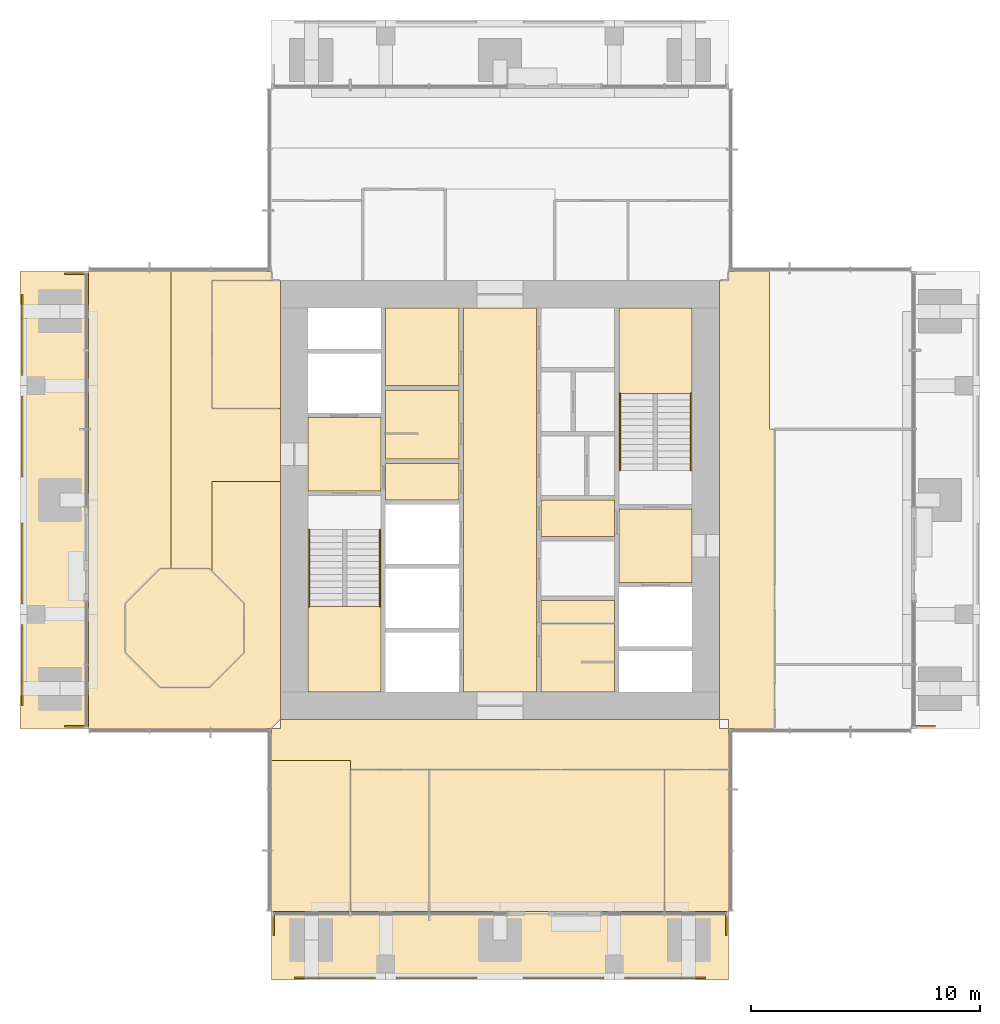
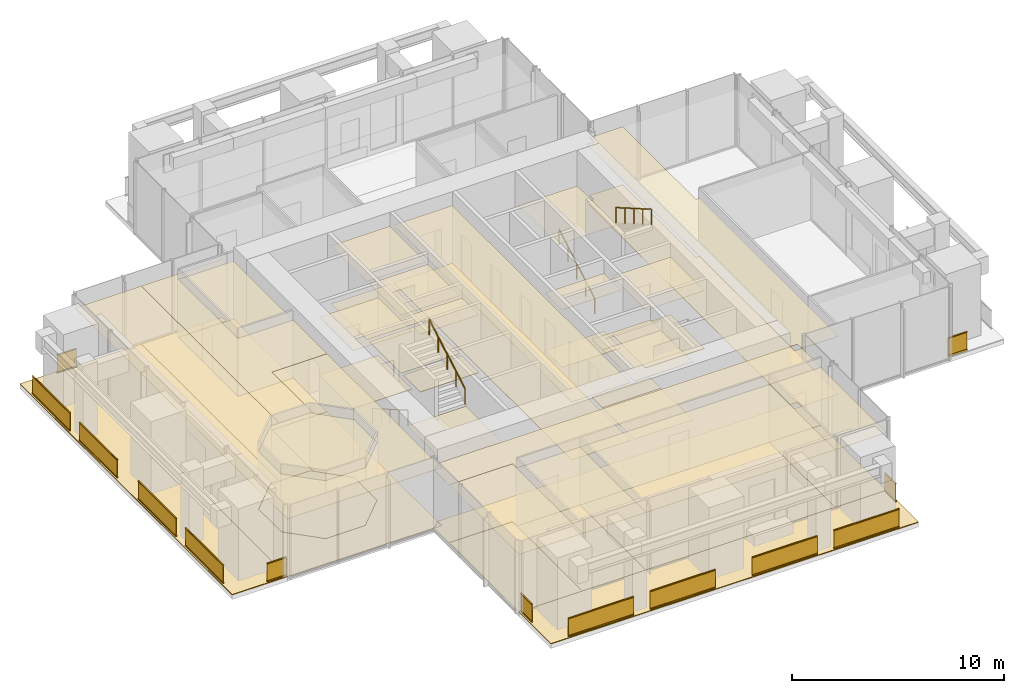
# One storey, part 10 of 12: 42 coverings, 17 railings.
"""IFC4 building model written with IfcOpenShell, lengths in metres."""

from ifc_helpers import new_model, si_unit, direction, frame, origin, origin_2d, place, context, subcontext, project, spatial, polyline, rectangle, circle, outline, extrude, material, layer, layer_set, type_object, element, save


model = new_model("IFC4")

# Units and contexts
model_context = context("Model", 3, precision=1e-05, world=origin(), true_north=direction((0.0, 1.0)))
body_context = subcontext(model_context, "Body", "Model", "MODEL_VIEW")
ifc_project = project(units=[si_unit("LENGTHUNIT", "METRE"), si_unit("AREAUNIT", "SQUARE_METRE"), si_unit("VOLUMEUNIT", "CUBIC_METRE"), si_unit("PLANEANGLEUNIT", "RADIAN"), si_unit("MASSUNIT", "GRAM", prefix="KILO")], contexts=[model_context])

# Site, building, storey
site_placement = place(None, origin())
site = spatial("IfcSite", under=ifc_project, at=site_placement, CompositionType="ELEMENT")
building_placement = place(site_placement, origin())
building = spatial("IfcBuilding", under=site, at=building_placement, Name="Svetlomir Tower", CompositionType="ELEMENT")
storey_placement = place(building_placement, frame((0.0, 0.0, 269.199951171875)))
storey = spatial("IfcBuildingStorey", under=building, at=storey_placement, Name="L64", CompositionType="ELEMENT", Elevation=269.199951171875)

# Railings
ifc_material_1 = material(Name="Bronze anodised aluminium and laminated glass", Category="aluminium")
railing_type_1 = type_object("IfcRailingType", Name="BALCONY GUARD GR1 1100", PredefinedType="GUARDRAIL", material=ifc_material_1)
for number, where, name in (
    (1, (12.0, 0.10009765625, 0.0), "Loggia guard S L64 bay 1"),
    (2, (16.449951171875, 0.10009765625, 0.0), "Loggia guard S L64 bay 2"),
    (3, (22.0, 0.10009765625, 0.0), "Loggia guard S L64 bay 3"),
    (4, (26.449951171875, 0.10009765625, 0.0), "Loggia guard S L64 bay 4"),
):
    element("IfcRailing", number, at=place(storey_placement, frame(where)), inside=storey, type_object=railing_type_1, Name=name, PredefinedType="GUARDRAIL", context=body_context, shape_type="SweptSolid", body=[
        extrude(rectangle(XDim=0.06005859375, YDim=0.10009765625, at=origin_2d()), frame((0.0, 0.0, 0.050048828125), z_axis=(1.0, 0.0, 0.0), x_axis=(0.0, 1.0, 0.0)), (0.0, 0.0, 1.0), 3.550048828125),
        extrude(rectangle(XDim=0.021484375, YDim=0.960205078125, at=origin_2d()), frame((0.0, 0.0, 0.580078125), z_axis=(1.0, 0.0, 0.0), x_axis=(0.0, 1.0, 0.0)), (0.0, 0.0, 1.0), 3.550048828125),
        extrude(rectangle(XDim=0.06005859375, YDim=0.0400390625, at=origin_2d()), frame((0.0, 0.0, 1.080078125), z_axis=(1.0, 0.0, 0.0), x_axis=(0.0, 1.0, 0.0)), (0.0, 0.0, 1.0), 3.550048828125),
    ])
for number, where, name in (
    (5, (11.10009765625, 1.949951171875, 0.0), "Loggia guard S L64 end 1"),
    (6, (30.89990234375, 1.949951171875, 0.0), "Loggia guard S L64 end 2"),
):
    element("IfcRailing", number, at=place(storey_placement, frame(where)), inside=storey, type_object=railing_type_1, Name=name, PredefinedType="GUARDRAIL", context=body_context, shape_type="SweptSolid", body=[
        extrude(rectangle(XDim=0.06005859375, YDim=0.10009765625, at=origin_2d()), frame((0.0, 0.0, 0.050048828125), z_axis=(0.0, 1.0, 0.0), x_axis=(-1.0, 0.0, 0.0)), (0.0, 0.0, 1.0), 1.050048828125),
        extrude(rectangle(XDim=0.021484375, YDim=0.960205078125, at=origin_2d()), frame((0.0, 0.0, 0.580078125), z_axis=(0.0, 1.0, 0.0), x_axis=(-1.0, 0.0, 0.0)), (0.0, 0.0, 1.0), 1.050048828125),
        extrude(rectangle(XDim=0.06005859375, YDim=0.0400390625, at=origin_2d()), frame((0.0, 0.0, 1.080078125), z_axis=(0.0, 1.0, 0.0), x_axis=(-1.0, 0.0, 0.0)), (0.0, 0.0, 1.0), 1.050048828125),
    ])
railing_1_placement = place(storey_placement, frame((40.050048828125, 11.10009765625, 0.0)))
element("IfcRailing", 7, at=railing_1_placement, inside=storey, type_object=railing_type_1, Name="Loggia guard E L64 end 1", PredefinedType="GUARDRAIL", context=body_context, shape_type="SweptSolid", body=[
    extrude(rectangle(XDim=0.06005859375, YDim=0.10009765625, at=origin_2d()), frame((0.0, 0.0, 0.050048828125), z_axis=(-1.0, 0.0, 0.0), x_axis=(0.0, -1.0, 0.0)), (0.0, 0.0, 1.0), 1.050048828125),
    extrude(rectangle(XDim=0.021484375, YDim=0.960205078125, at=origin_2d()), frame((0.0, 0.0, 0.580078125), z_axis=(-1.0, 0.0, 0.0), x_axis=(0.0, -1.0, 0.0)), (0.0, 0.0, 1.0), 1.050048828125),
    extrude(rectangle(XDim=0.06005859375, YDim=0.0400390625, at=origin_2d()), frame((0.0, 0.0, 1.080078125), z_axis=(-1.0, 0.0, 0.0), x_axis=(0.0, -1.0, 0.0)), (0.0, 0.0, 1.0), 1.050048828125),
])
for number, where, name in (
    (8, (0.10009765625, 12.0, 0.0), "Loggia guard W L64 bay 1"),
    (9, (0.10009765625, 16.449951171875, 0.0), "Loggia guard W L64 bay 2"),
    (10, (0.10009765625, 22.0, 0.0), "Loggia guard W L64 bay 3"),
    (11, (0.10009765625, 26.449951171875, 0.0), "Loggia guard W L64 bay 4"),
):
    element("IfcRailing", number, at=place(storey_placement, frame(where)), inside=storey, type_object=railing_type_1, Name=name, PredefinedType="GUARDRAIL", context=body_context, shape_type="SweptSolid", body=[
        extrude(rectangle(XDim=0.06005859375, YDim=0.10009765625, at=origin_2d()), frame((0.0, 0.0, 0.050048828125), z_axis=(0.0, 1.0, 0.0), x_axis=(-1.0, 0.0, 0.0)), (0.0, 0.0, 1.0), 3.550048828125),
        extrude(rectangle(XDim=0.021484375, YDim=0.960205078125, at=origin_2d()), frame((0.0, 0.0, 0.580078125), z_axis=(0.0, 1.0, 0.0), x_axis=(-1.0, 0.0, 0.0)), (0.0, 0.0, 1.0), 3.550048828125),
        extrude(rectangle(XDim=0.06005859375, YDim=0.0400390625, at=origin_2d()), frame((0.0, 0.0, 1.080078125), z_axis=(0.0, 1.0, 0.0), x_axis=(-1.0, 0.0, 0.0)), (0.0, 0.0, 1.0), 3.550048828125),
    ])
for number, where, name in (
    (12, (1.949951171875, 11.10009765625, 0.0), "Loggia guard W L64 end 1"),
    (13, (1.949951171875, 30.89990234375, 0.0), "Loggia guard W L64 end 2"),
):
    element("IfcRailing", number, at=place(storey_placement, frame(where)), inside=storey, type_object=railing_type_1, Name=name, PredefinedType="GUARDRAIL", context=body_context, shape_type="SweptSolid", body=[
        extrude(rectangle(XDim=0.06005859375, YDim=0.10009765625, at=origin_2d()), frame((0.0, 0.0, 0.050048828125), z_axis=(1.0, 0.0, 0.0), x_axis=(0.0, 1.0, 0.0)), (0.0, 0.0, 1.0), 1.050048828125),
        extrude(rectangle(XDim=0.021484375, YDim=0.960205078125, at=origin_2d()), frame((0.0, 0.0, 0.580078125), z_axis=(1.0, 0.0, 0.0), x_axis=(0.0, 1.0, 0.0)), (0.0, 0.0, 1.0), 1.050048828125),
        extrude(rectangle(XDim=0.06005859375, YDim=0.0400390625, at=origin_2d()), frame((0.0, 0.0, 1.080078125), z_axis=(1.0, 0.0, 0.0), x_axis=(0.0, 1.0, 0.0)), (0.0, 0.0, 1.0), 1.050048828125),
    ])

# Coverings
ifc_material_2 = material(Name="Granite paving slabs on pedestals", Category="masonry")
ifc_layer_1 = layer(ifc_material_2, 0.0400390625)
ifc_layer_set_1 = layer_set([ifc_layer_1], Name="Granite paving slabs on pedestals")
covering_type_1 = type_object("IfcCoveringType", Name="BALCONY PAVING 40", PredefinedType="USERDEFINED", material=ifc_layer_set_1)
covering_1_placement = place(storey_placement, origin())
element("IfcCovering", 14, at=covering_1_placement, inside=storey, type_object=covering_type_1, Name="Loggia paving S L64", ObjectType="BALCONY PAVING", PredefinedType="USERDEFINED", context=body_context, shape_type="SweptSolid", body=[
    extrude(outline(polyline([(11.0, 0.0), (31.0, 0.0), (31.0, 3.0), (11.0, 3.0), (11.0, 0.0)])), origin(), (0.0, 0.0, 1.0), 0.0400390625),
])
covering_2_placement = place(storey_placement, origin())
element("IfcCovering", 15, at=covering_2_placement, inside=storey, type_object=covering_type_1, Name="Loggia paving W L64", ObjectType="BALCONY PAVING", PredefinedType="USERDEFINED", context=body_context, shape_type="SweptSolid", body=[
    extrude(outline(polyline([(0.0, 11.0), (3.0, 11.0), (3.0, 31.0), (0.0, 31.0), (0.0, 11.0)])), origin(), (0.0, 0.0, 1.0), 0.0400390625),
])
ifc_material_3 = material(Name="Ceramic floor tile", Category="ceramic")
ifc_layer_2 = layer(ifc_material_3, 0.014892578125)
ifc_layer_set_2 = layer_set([ifc_layer_2], Name="Ceramic floor tile")
covering_type_2 = type_object("IfcCoveringType", Name="CERAMIC TILE FLOOR 15", PredefinedType="FLOORING", material=ifc_layer_set_2)
covering_3_placement = place(storey_placement, origin())
element("IfcCovering", 16, at=covering_3_placement, inside=storey, type_object=covering_type_2, Name="Floor finish L64-04", PredefinedType="FLOORING", context=body_context, shape_type="SweptSolid", body=[
    extrude(outline(polyline([(16.0, 22.800048828125), (19.199951171875, 22.800048828125), (19.199951171875, 25.800048828125), (16.0, 25.800048828125), (16.0, 22.800048828125)])), origin(), (0.0, 0.0, 1.0), 0.01513671875),
])
covering_4_placement = place(storey_placement, origin())
element("IfcCovering", 17, at=covering_4_placement, inside=storey, type_object=covering_type_2, Name="Floor finish L64-05", PredefinedType="FLOORING", context=body_context, shape_type="SweptSolid", body=[
    extrude(outline(polyline([(16.0, 26.0), (19.199951171875, 26.0), (19.199951171875, 29.39990234375), (16.0, 29.39990234375), (16.0, 26.0)])), origin(), (0.0, 0.0, 1.0), 0.01513671875),
])
covering_5_placement = place(storey_placement, origin())
element("IfcCovering", 18, at=covering_5_placement, inside=storey, type_object=covering_type_2, Name="Floor finish L64-07", PredefinedType="FLOORING", context=body_context, shape_type="SweptSolid", body=[
    extrude(outline(polyline([(22.800048828125, 15.60009765625), (26.0, 15.60009765625), (26.0, 16.60009765625), (22.800048828125, 16.60009765625), (22.800048828125, 15.60009765625)])), origin(), (0.0, 0.0, 1.0), 0.01513671875),
])
covering_6_placement = place(storey_placement, origin())
element("IfcCovering", 19, at=covering_6_placement, inside=storey, type_object=covering_type_2, Name="Floor finish L64-08", PredefinedType="FLOORING", context=body_context, shape_type="SweptSolid", body=[
    extrude(outline(polyline([(22.800048828125, 12.60009765625), (26.0, 12.60009765625), (26.0, 15.60009765625), (22.800048828125, 15.60009765625), (22.800048828125, 12.60009765625)])), origin(), (0.0, 0.0, 1.0), 0.01513671875),
])

# Railings
ifc_material_4 = material(Name="Stainless steel", Category="steel")
railing_type_2 = type_object("IfcRailingType", Name="HANDRAIL HR1 900", PredefinedType="HANDRAIL", material=ifc_material_4)
railing_2_placement = place(storey_placement, frame((12.64990234375, 19.699951171875, 0.16162109375)))
element("IfcRailing", 20, at=railing_2_placement, inside=storey, type_object=railing_type_2, Name="Handrail S1 flight 1 L64", PredefinedType="HANDRAIL", context=body_context, shape_type="SweptSolid", body=[
    extrude(circle(Radius=0.02392578125, at=origin_2d()), frame((0.0, 0.0, 0.8759765625), z_axis=(0.0, -0.866175107563, 0.499740615757), x_axis=(1.0, 0.0, 0.0)), (0.0, 0.0, 1.0), 3.87890625),
    extrude(circle(Radius=0.02099609375, at=origin_2d()), origin(), (0.0, 0.0, 1.0), 0.851806640625),
    extrude(circle(Radius=0.02099609375, at=origin_2d()), frame((0.0, -0.83984375, 0.484619140625)), (0.0, 0.0, 1.0), 0.851806640625),
    extrude(circle(Radius=0.02099609375, at=origin_2d()), frame((0.0, -1.679931640625, 0.96923828125)), (0.0, 0.0, 1.0), 0.851806640625),
    extrude(circle(Radius=0.02099609375, at=origin_2d()), frame((0.0, -2.52001953125, 1.453857421875)), (0.0, 0.0, 1.0), 0.851806640625),
    extrude(circle(Radius=0.02099609375, at=origin_2d()), frame((0.0, -3.35986328125, 1.9384765625)), (0.0, 0.0, 1.0), 0.851806640625),
])
for number, where, name in (
    (21, (15.75, 16.340087890625, 2.261474609375), "Handrail S1 flight 2 L64"),
    (22, (26.25, 22.300048828125, 0.16162109375), "Handrail S2 flight 1 L64"),
):
    element("IfcRailing", number, at=place(storey_placement, frame(where)), inside=storey, type_object=railing_type_2, Name=name, PredefinedType="HANDRAIL", context=body_context, shape_type="SweptSolid", body=[
        extrude(circle(Radius=0.02392578125, at=origin_2d()), frame((0.0, 0.0, 0.8759765625), z_axis=(0.0, 0.866175107563, 0.499740615757), x_axis=(-1.0, 0.0, 0.0)), (0.0, 0.0, 1.0), 3.87890625),
        extrude(circle(Radius=0.02099609375, at=origin_2d()), origin(), (0.0, 0.0, 1.0), 0.851806640625),
        extrude(circle(Radius=0.02099609375, at=origin_2d()), frame((0.0, 0.83984375, 0.484619140625)), (0.0, 0.0, 1.0), 0.851806640625),
        extrude(circle(Radius=0.02099609375, at=origin_2d()), frame((0.0, 1.679931640625, 0.96923828125)), (0.0, 0.0, 1.0), 0.851806640625),
        extrude(circle(Radius=0.02099609375, at=origin_2d()), frame((0.0, 2.52001953125, 1.453857421875)), (0.0, 0.0, 1.0), 0.851806640625),
        extrude(circle(Radius=0.02099609375, at=origin_2d()), frame((0.0, 3.35986328125, 1.9384765625)), (0.0, 0.0, 1.0), 0.851806640625),
    ])
railing_3_placement = place(storey_placement, frame((29.35009765625, 25.659912109375, 2.261474609375)))
element("IfcRailing", 23, at=railing_3_placement, inside=storey, type_object=railing_type_2, Name="Handrail S2 flight 2 L64", PredefinedType="HANDRAIL", context=body_context, shape_type="SweptSolid", body=[
    extrude(circle(Radius=0.02392578125, at=origin_2d()), frame((0.0, 0.0, 0.8759765625), z_axis=(0.0, -0.866175107563, 0.499740615757), x_axis=(1.0, 0.0, 0.0)), (0.0, 0.0, 1.0), 3.87890625),
    extrude(circle(Radius=0.02099609375, at=origin_2d()), origin(), (0.0, 0.0, 1.0), 0.851806640625),
    extrude(circle(Radius=0.02099609375, at=origin_2d()), frame((0.0, -0.83984375, 0.484619140625)), (0.0, 0.0, 1.0), 0.851806640625),
    extrude(circle(Radius=0.02099609375, at=origin_2d()), frame((0.0, -1.679931640625, 0.96923828125)), (0.0, 0.0, 1.0), 0.851806640625),
    extrude(circle(Radius=0.02099609375, at=origin_2d()), frame((0.0, -2.52001953125, 1.453857421875)), (0.0, 0.0, 1.0), 0.851806640625),
    extrude(circle(Radius=0.02099609375, at=origin_2d()), frame((0.0, -3.35986328125, 1.9384765625)), (0.0, 0.0, 1.0), 0.851806640625),
])

# Coverings
ifc_material_5 = material(Name="Moisture resistant plasterboard ceiling", Category="gypsum")
ifc_layer_3 = layer(ifc_material_5, 0.012451171875)
ifc_layer_set_3 = layer_set([ifc_layer_3], Name="Moisture resistant plasterboard ceiling")
covering_type_3 = type_object("IfcCoveringType", Name="MOISTURE RESISTANT CEILING 12.5", PredefinedType="CEILING", material=ifc_layer_set_3)
covering_7_placement = place(storey_placement, frame((0.0, 0.0, 3.337646484375)))
element("IfcCovering", 24, at=covering_7_placement, inside=storey, type_object=covering_type_3, Name="Ceiling L64-04", PredefinedType="CEILING", context=body_context, shape_type="SweptSolid", body=[
    extrude(outline(polyline([(16.0, 22.800048828125), (19.199951171875, 22.800048828125), (19.199951171875, 25.800048828125), (16.0, 25.800048828125), (16.0, 22.800048828125)])), origin(), (0.0, 0.0, 1.0), 0.012451171875),
])
covering_8_placement = place(storey_placement, frame((0.0, 0.0, 3.337646484375)))
element("IfcCovering", 25, at=covering_8_placement, inside=storey, type_object=covering_type_3, Name="Ceiling L64-05", PredefinedType="CEILING", context=body_context, shape_type="SweptSolid", body=[
    extrude(outline(polyline([(16.0, 26.0), (19.199951171875, 26.0), (19.199951171875, 29.39990234375), (16.0, 29.39990234375), (16.0, 26.0)])), origin(), (0.0, 0.0, 1.0), 0.012451171875),
])
covering_9_placement = place(storey_placement, frame((0.0, 0.0, 3.337646484375)))
element("IfcCovering", 26, at=covering_9_placement, inside=storey, type_object=covering_type_3, Name="Ceiling L64-07", PredefinedType="CEILING", context=body_context, shape_type="SweptSolid", body=[
    extrude(outline(polyline([(22.800048828125, 15.60009765625), (26.0, 15.60009765625), (26.0, 16.60009765625), (22.800048828125, 16.60009765625), (22.800048828125, 15.60009765625)])), origin(), (0.0, 0.0, 1.0), 0.012451171875),
])
covering_10_placement = place(storey_placement, frame((0.0, 0.0, 3.337646484375)))
element("IfcCovering", 27, at=covering_10_placement, inside=storey, type_object=covering_type_3, Name="Ceiling L64-08", PredefinedType="CEILING", context=body_context, shape_type="SweptSolid", body=[
    extrude(outline(polyline([(22.800048828125, 12.60009765625), (26.0, 12.60009765625), (26.0, 15.60009765625), (22.800048828125, 15.60009765625), (22.800048828125, 12.60009765625)])), origin(), (0.0, 0.0, 1.0), 0.012451171875),
])
ifc_material_6 = material(Name="Engineered oak floor", Category="wood")
ifc_layer_4 = layer(ifc_material_6, 0.02001953125)
ifc_layer_set_4 = layer_set([ifc_layer_4], Name="Engineered oak floor")
covering_type_4 = type_object("IfcCoveringType", Name="OAK FLOOR 20", PredefinedType="FLOORING", material=ifc_layer_set_4)
covering_11_placement = place(storey_placement, origin())
element("IfcCovering", 28, at=covering_11_placement, inside=storey, type_object=covering_type_4, Name="Floor finish L64-18", PredefinedType="FLOORING", context=body_context, shape_type="SweptSolid", body=[
    extrude(outline(polyline([(14.449951171875, 3.0), (17.89990234375, 3.0), (17.89990234375, 9.199951171875), (14.449951171875, 9.199951171875), (14.449951171875, 3.0)])), origin(), (0.0, 0.0, 1.0), 0.02001953125),
])
covering_12_placement = place(storey_placement, origin())
element("IfcCovering", 29, at=covering_12_placement, inside=storey, type_object=covering_type_4, Name="Floor finish L64-19", PredefinedType="FLOORING", context=body_context, shape_type="SweptSolid", body=[
    extrude(outline(polyline([(17.89990234375, 3.0), (28.199951171875, 3.0), (28.199951171875, 9.199951171875), (17.89990234375, 9.199951171875), (17.89990234375, 3.0)])), origin(), (0.0, 0.0, 1.0), 0.02001953125),
])
covering_13_placement = place(storey_placement, origin())
element("IfcCovering", 30, at=covering_13_placement, inside=storey, type_object=covering_type_4, Name="Floor finish L64-20", PredefinedType="FLOORING", context=body_context, shape_type="SweptSolid", body=[
    extrude(outline(polyline([(28.199951171875, 3.0), (31.0, 3.0), (31.0, 9.199951171875), (28.199951171875, 9.199951171875), (28.199951171875, 3.0)])), origin(), (0.0, 0.0, 1.0), 0.02001953125),
])
covering_14_placement = place(storey_placement, origin())
element("IfcCovering", 31, at=covering_14_placement, inside=storey, type_object=covering_type_4, Name="Floor finish L64-27", PredefinedType="FLOORING", context=body_context, shape_type="SweptSolid", body=[
    extrude(outline(polyline([(8.39990234375, 25.0), (11.39990234375, 25.0), (11.39990234375, 30.60009765625), (8.39990234375, 30.60009765625), (8.39990234375, 25.0)])), origin(), (0.0, 0.0, 1.0), 0.02001953125),
])
covering_15_placement = place(storey_placement, origin())
element("IfcCovering", 32, at=covering_15_placement, inside=storey, type_object=covering_type_4, Name="Floor finish L64-28", PredefinedType="FLOORING", context=body_context, shape_type="SweptSolid", body=[
    extrude(outline(polyline([(6.123046875, 12.800048828125), (8.277099609375, 12.800048828125), (9.800048828125, 14.322998046875), (9.800048828125, 16.47705078125), (8.277099609375, 18.0), (6.123046875, 18.0), (4.60009765625, 16.47705078125), (4.60009765625, 14.322998046875), (6.123046875, 12.800048828125)])), origin(), (0.0, 0.0, 1.0), 0.02001953125),
])
covering_16_placement = place(storey_placement, origin())
element("IfcCovering", 33, at=covering_16_placement, inside=storey, type_object=covering_type_4, Name="Floor finish L64-29", PredefinedType="FLOORING", context=body_context, shape_type="SweptSolid", body=[
    extrude(outline(polyline([(11.39990234375, 21.800048828125), (8.39990234375, 21.800048828125), (8.39990234375, 17.876953125), (8.277099609375, 18.0), (6.60009765625, 18.0), (6.60009765625, 31.0), (11.0, 31.0), (11.0, 30.60009765625), (8.39990234375, 30.60009765625), (8.39990234375, 25.0), (11.39990234375, 25.0), (11.39990234375, 21.800048828125)])), origin(), (0.0, 0.0, 1.0), 0.02001953125),
])
covering_17_placement = place(storey_placement, origin())
element("IfcCovering", 34, at=covering_17_placement, inside=storey, type_object=covering_type_4, Name="Floor finish L64-31", PredefinedType="FLOORING", context=body_context, shape_type="SweptSolid", body=[
    extrude(outline(polyline([(14.449951171875, 9.199951171875), (14.449951171875, 9.60009765625), (11.0, 9.60009765625), (11.0, 11.0), (11.39990234375, 11.0), (11.39990234375, 11.39990234375), (30.60009765625, 11.39990234375), (30.60009765625, 11.0), (31.0, 11.0), (31.0, 9.199951171875), (14.449951171875, 9.199951171875)])), origin(), (0.0, 0.0, 1.0), 0.02001953125),
])
covering_18_placement = place(storey_placement, origin())
element("IfcCovering", 35, at=covering_18_placement, inside=storey, type_object=covering_type_4, Name="Floor finish L64-32", PredefinedType="FLOORING", context=body_context, shape_type="SweptSolid", body=[
    extrude(outline(polyline([(30.60009765625, 30.60009765625), (31.0, 30.60009765625), (31.0, 31.0), (32.800048828125, 31.0), (32.800048828125, 24.10009765625), (33.0, 24.10009765625), (33.0, 11.0), (31.0, 11.0), (31.0, 11.39990234375), (30.60009765625, 11.39990234375), (30.60009765625, 30.60009765625)])), origin(), (0.0, 0.0, 1.0), 0.02001953125),
])
covering_19_placement = place(storey_placement, origin())
element("IfcCovering", 36, at=covering_19_placement, inside=storey, type_object=covering_type_4, Name="Floor finish L64-33", PredefinedType="FLOORING", context=body_context, shape_type="SweptSolid", body=[
    extrude(outline(polyline([(14.449951171875, 9.60009765625), (14.449951171875, 3.0), (11.0, 3.0), (11.0, 9.60009765625), (14.449951171875, 9.60009765625)])), origin(), (0.0, 0.0, 1.0), 0.02001953125),
])
covering_20_placement = place(storey_placement, origin())
element("IfcCovering", 37, at=covering_20_placement, inside=storey, type_object=covering_type_4, Name="Floor finish L64-37", PredefinedType="FLOORING", context=body_context, shape_type="SweptSolid", body=[
    extrude(outline(polyline([(3.0, 31.0), (6.60009765625, 31.0), (6.60009765625, 18.0), (6.123046875, 18.0), (4.60009765625, 16.47705078125), (4.60009765625, 14.322998046875), (6.123046875, 12.800048828125), (8.277099609375, 12.800048828125), (9.800048828125, 14.322998046875), (9.800048828125, 16.47705078125), (8.39990234375, 17.876953125), (8.39990234375, 21.800048828125), (11.39990234375, 21.800048828125), (11.39990234375, 11.39990234375), (11.0, 11.0), (3.0, 11.0), (3.0, 31.0)])), origin(), (0.0, 0.0, 1.0), 0.02001953125),
])
ifc_material_7 = material(Name="Gypsum plasterboard ceiling", Category="gypsum")
ifc_layer_5 = layer(ifc_material_7, 0.014892578125)
ifc_layer_set_5 = layer_set([ifc_layer_5], Name="Gypsum plasterboard ceiling")
covering_type_5 = type_object("IfcCoveringType", Name="PLASTERBOARD CEILING 15", PredefinedType="CEILING", material=ifc_layer_set_5)
covering_21_placement = place(storey_placement, frame((0.0, 0.0, 3.3349609375)))
element("IfcCovering", 38, at=covering_21_placement, inside=storey, type_object=covering_type_5, Name="Ceiling L64-02", PredefinedType="CEILING", context=body_context, shape_type="SweptSolid", body=[
    extrude(outline(polyline([(12.60009765625, 21.39990234375), (15.800048828125, 21.39990234375), (15.800048828125, 24.60009765625), (12.60009765625, 24.60009765625), (12.60009765625, 21.39990234375)])), origin(), (0.0, 0.0, 1.0), 0.01513671875),
])
covering_22_placement = place(storey_placement, frame((0.0, 0.0, 3.3349609375)))
element("IfcCovering", 39, at=covering_22_placement, inside=storey, type_object=covering_type_5, Name="Ceiling L64-03", PredefinedType="CEILING", context=body_context, shape_type="SweptSolid", body=[
    extrude(outline(polyline([(16.0, 21.0), (19.199951171875, 21.0), (19.199951171875, 22.60009765625), (16.0, 22.60009765625), (16.0, 21.0)])), origin(), (0.0, 0.0, 1.0), 0.01513671875),
])
covering_23_placement = place(storey_placement, frame((0.0, 0.0, 3.3349609375)))
element("IfcCovering", 40, at=covering_23_placement, inside=storey, type_object=covering_type_5, Name="Ceiling L64-06", PredefinedType="CEILING", context=body_context, shape_type="SweptSolid", body=[
    extrude(outline(polyline([(19.39990234375, 12.60009765625), (22.60009765625, 12.60009765625), (22.60009765625, 29.39990234375), (19.39990234375, 29.39990234375), (19.39990234375, 12.60009765625)])), origin(), (0.0, 0.0, 1.0), 0.01513671875),
])
covering_24_placement = place(storey_placement, frame((0.0, 0.0, 3.3349609375)))
element("IfcCovering", 41, at=covering_24_placement, inside=storey, type_object=covering_type_5, Name="Ceiling L64-10", PredefinedType="CEILING", context=body_context, shape_type="SweptSolid", body=[
    extrude(outline(polyline([(22.800048828125, 19.39990234375), (26.0, 19.39990234375), (26.0, 21.0), (22.800048828125, 21.0), (22.800048828125, 19.39990234375)])), origin(), (0.0, 0.0, 1.0), 0.01513671875),
])
covering_25_placement = place(storey_placement, frame((0.0, 0.0, 3.3349609375)))
element("IfcCovering", 42, at=covering_25_placement, inside=storey, type_object=covering_type_5, Name="Ceiling L64-11", PredefinedType="CEILING", context=body_context, shape_type="SweptSolid", body=[
    extrude(outline(polyline([(26.199951171875, 17.39990234375), (29.39990234375, 17.39990234375), (29.39990234375, 20.60009765625), (26.199951171875, 20.60009765625), (26.199951171875, 17.39990234375)])), origin(), (0.0, 0.0, 1.0), 0.01513671875),
])
ifc_material_8 = material(Name="Studded rubber floor finish", Category="rubber")
ifc_layer_6 = layer(ifc_material_8, 0.006103515625)
ifc_layer_set_6 = layer_set([ifc_layer_6], Name="Studded rubber floor finish")
covering_type_6 = type_object("IfcCoveringType", Name="RUBBER LANDING FINISH 6", PredefinedType="FLOORING", material=ifc_layer_set_6)
covering_26_placement = place(storey_placement, frame((0.0, 0.0, 2.10009765625)))
element("IfcCovering", 43, at=covering_26_placement, inside=storey, type_object=covering_type_6, Name="Stair S1 landing finish L64", PredefinedType="FLOORING", context=body_context, shape_type="SweptSolid", body=[
    extrude(outline(polyline([(12.60009765625, 12.60009765625), (15.800048828125, 12.60009765625), (15.800048828125, 16.340087890625), (12.60009765625, 16.340087890625), (12.60009765625, 12.60009765625)])), origin(), (0.0, 0.0, 1.0), 0.005859375),
])
covering_27_placement = place(storey_placement, frame((0.0, 0.0, 2.10009765625)))
element("IfcCovering", 44, at=covering_27_placement, inside=storey, type_object=covering_type_6, Name="Stair S2 landing finish L64", PredefinedType="FLOORING", context=body_context, shape_type="SweptSolid", body=[
    extrude(outline(polyline([(26.199951171875, 25.659912109375), (29.39990234375, 25.659912109375), (29.39990234375, 29.39990234375), (26.199951171875, 29.39990234375), (26.199951171875, 25.659912109375)])), origin(), (0.0, 0.0, 1.0), 0.005859375),
])
ifc_material_9 = material(Name="Mineral fibre ceiling tile", Category="mineral")
ifc_layer_7 = layer(ifc_material_9, 0.02001953125)
ifc_layer_set_7 = layer_set([ifc_layer_7], Name="Mineral fibre ceiling tile")
covering_type_7 = type_object("IfcCoveringType", Name="SUSPENDED CEILING 20", PredefinedType="CEILING", material=ifc_layer_set_7)
covering_28_placement = place(storey_placement, frame((0.0, 0.0, 3.330078125)))
element("IfcCovering", 45, at=covering_28_placement, inside=storey, type_object=covering_type_7, Name="Ceiling L64-18", PredefinedType="CEILING", context=body_context, shape_type="SweptSolid", body=[
    extrude(outline(polyline([(14.449951171875, 3.0), (17.89990234375, 3.0), (17.89990234375, 9.199951171875), (14.449951171875, 9.199951171875), (14.449951171875, 3.0)])), origin(), (0.0, 0.0, 1.0), 0.02001953125),
])
covering_29_placement = place(storey_placement, frame((0.0, 0.0, 3.330078125)))
element("IfcCovering", 46, at=covering_29_placement, inside=storey, type_object=covering_type_7, Name="Ceiling L64-19", PredefinedType="CEILING", context=body_context, shape_type="SweptSolid", body=[
    extrude(outline(polyline([(17.89990234375, 3.0), (28.199951171875, 3.0), (28.199951171875, 9.199951171875), (17.89990234375, 9.199951171875), (17.89990234375, 3.0)])), origin(), (0.0, 0.0, 1.0), 0.02001953125),
])
covering_30_placement = place(storey_placement, frame((0.0, 0.0, 3.330078125)))
element("IfcCovering", 47, at=covering_30_placement, inside=storey, type_object=covering_type_7, Name="Ceiling L64-20", PredefinedType="CEILING", context=body_context, shape_type="SweptSolid", body=[
    extrude(outline(polyline([(28.199951171875, 3.0), (31.0, 3.0), (31.0, 9.199951171875), (28.199951171875, 9.199951171875), (28.199951171875, 3.0)])), origin(), (0.0, 0.0, 1.0), 0.02001953125),
])
covering_31_placement = place(storey_placement, frame((0.0, 0.0, 3.330078125)))
element("IfcCovering", 48, at=covering_31_placement, inside=storey, type_object=covering_type_7, Name="Ceiling L64-27", PredefinedType="CEILING", context=body_context, shape_type="SweptSolid", body=[
    extrude(outline(polyline([(8.39990234375, 25.0), (11.39990234375, 25.0), (11.39990234375, 30.60009765625), (8.39990234375, 30.60009765625), (8.39990234375, 25.0)])), origin(), (0.0, 0.0, 1.0), 0.02001953125),
])
covering_32_placement = place(storey_placement, frame((0.0, 0.0, 3.330078125)))
element("IfcCovering", 49, at=covering_32_placement, inside=storey, type_object=covering_type_7, Name="Ceiling L64-28", PredefinedType="CEILING", context=body_context, shape_type="SweptSolid", body=[
    extrude(outline(polyline([(6.123046875, 12.800048828125), (8.277099609375, 12.800048828125), (9.800048828125, 14.322998046875), (9.800048828125, 16.47705078125), (8.277099609375, 18.0), (6.123046875, 18.0), (4.60009765625, 16.47705078125), (4.60009765625, 14.322998046875), (6.123046875, 12.800048828125)])), origin(), (0.0, 0.0, 1.0), 0.02001953125),
])
covering_33_placement = place(storey_placement, frame((0.0, 0.0, 3.330078125)))
element("IfcCovering", 50, at=covering_33_placement, inside=storey, type_object=covering_type_7, Name="Ceiling L64-29", PredefinedType="CEILING", context=body_context, shape_type="SweptSolid", body=[
    extrude(outline(polyline([(11.39990234375, 21.800048828125), (8.39990234375, 21.800048828125), (8.39990234375, 17.876953125), (8.277099609375, 18.0), (6.60009765625, 18.0), (6.60009765625, 31.0), (11.0, 31.0), (11.0, 30.60009765625), (8.39990234375, 30.60009765625), (8.39990234375, 25.0), (11.39990234375, 25.0), (11.39990234375, 21.800048828125)])), origin(), (0.0, 0.0, 1.0), 0.02001953125),
])
covering_34_placement = place(storey_placement, frame((0.0, 0.0, 3.330078125)))
element("IfcCovering", 51, at=covering_34_placement, inside=storey, type_object=covering_type_7, Name="Ceiling L64-31", PredefinedType="CEILING", context=body_context, shape_type="SweptSolid", body=[
    extrude(outline(polyline([(14.449951171875, 9.199951171875), (14.449951171875, 9.60009765625), (11.0, 9.60009765625), (11.0, 11.0), (11.39990234375, 11.0), (11.39990234375, 11.39990234375), (30.60009765625, 11.39990234375), (30.60009765625, 11.0), (31.0, 11.0), (31.0, 9.199951171875), (14.449951171875, 9.199951171875)])), origin(), (0.0, 0.0, 1.0), 0.02001953125),
])
covering_35_placement = place(storey_placement, frame((0.0, 0.0, 3.330078125)))
element("IfcCovering", 52, at=covering_35_placement, inside=storey, type_object=covering_type_7, Name="Ceiling L64-32", PredefinedType="CEILING", context=body_context, shape_type="SweptSolid", body=[
    extrude(outline(polyline([(30.60009765625, 30.60009765625), (31.0, 30.60009765625), (31.0, 31.0), (32.800048828125, 31.0), (32.800048828125, 24.10009765625), (33.0, 24.10009765625), (33.0, 11.0), (31.0, 11.0), (31.0, 11.39990234375), (30.60009765625, 11.39990234375), (30.60009765625, 30.60009765625)])), origin(), (0.0, 0.0, 1.0), 0.02001953125),
])
covering_36_placement = place(storey_placement, frame((0.0, 0.0, 3.330078125)))
element("IfcCovering", 53, at=covering_36_placement, inside=storey, type_object=covering_type_7, Name="Ceiling L64-33", PredefinedType="CEILING", context=body_context, shape_type="SweptSolid", body=[
    extrude(outline(polyline([(14.449951171875, 9.60009765625), (14.449951171875, 3.0), (11.0, 3.0), (11.0, 9.60009765625), (14.449951171875, 9.60009765625)])), origin(), (0.0, 0.0, 1.0), 0.02001953125),
])
covering_37_placement = place(storey_placement, frame((0.0, 0.0, 3.330078125)))
element("IfcCovering", 54, at=covering_37_placement, inside=storey, type_object=covering_type_7, Name="Ceiling L64-37", PredefinedType="CEILING", context=body_context, shape_type="SweptSolid", body=[
    extrude(outline(polyline([(3.0, 31.0), (6.60009765625, 31.0), (6.60009765625, 18.0), (6.123046875, 18.0), (4.60009765625, 16.47705078125), (4.60009765625, 14.322998046875), (6.123046875, 12.800048828125), (8.277099609375, 12.800048828125), (9.800048828125, 14.322998046875), (9.800048828125, 16.47705078125), (8.39990234375, 17.876953125), (8.39990234375, 21.800048828125), (11.39990234375, 21.800048828125), (11.39990234375, 11.39990234375), (11.0, 11.0), (3.0, 11.0), (3.0, 31.0)])), origin(), (0.0, 0.0, 1.0), 0.02001953125),
])
ifc_material_10 = material(Name="Bronze-aggregate terrazzo", Category="stone")
ifc_layer_8 = layer(ifc_material_10, 0.030029296875)
ifc_layer_set_8 = layer_set([ifc_layer_8], Name="Bronze-aggregate terrazzo")
covering_type_8 = type_object("IfcCoveringType", Name="TERRAZZO FLOOR 30", PredefinedType="FLOORING", material=ifc_layer_set_8)
covering_38_placement = place(storey_placement, origin())
element("IfcCovering", 55, at=covering_38_placement, inside=storey, type_object=covering_type_8, Name="Floor finish L64-02", PredefinedType="FLOORING", context=body_context, shape_type="SweptSolid", body=[
    extrude(outline(polyline([(12.60009765625, 21.39990234375), (15.800048828125, 21.39990234375), (15.800048828125, 24.60009765625), (12.60009765625, 24.60009765625), (12.60009765625, 21.39990234375)])), origin(), (0.0, 0.0, 1.0), 0.030029296875),
])
covering_39_placement = place(storey_placement, origin())
element("IfcCovering", 56, at=covering_39_placement, inside=storey, type_object=covering_type_8, Name="Floor finish L64-03", PredefinedType="FLOORING", context=body_context, shape_type="SweptSolid", body=[
    extrude(outline(polyline([(16.0, 21.0), (19.199951171875, 21.0), (19.199951171875, 22.60009765625), (16.0, 22.60009765625), (16.0, 21.0)])), origin(), (0.0, 0.0, 1.0), 0.030029296875),
])
covering_40_placement = place(storey_placement, origin())
element("IfcCovering", 57, at=covering_40_placement, inside=storey, type_object=covering_type_8, Name="Floor finish L64-06", PredefinedType="FLOORING", context=body_context, shape_type="SweptSolid", body=[
    extrude(outline(polyline([(19.39990234375, 12.60009765625), (22.60009765625, 12.60009765625), (22.60009765625, 29.39990234375), (19.39990234375, 29.39990234375), (19.39990234375, 12.60009765625)])), origin(), (0.0, 0.0, 1.0), 0.030029296875),
])
covering_41_placement = place(storey_placement, origin())
element("IfcCovering", 58, at=covering_41_placement, inside=storey, type_object=covering_type_8, Name="Floor finish L64-10", PredefinedType="FLOORING", context=body_context, shape_type="SweptSolid", body=[
    extrude(outline(polyline([(22.800048828125, 19.39990234375), (26.0, 19.39990234375), (26.0, 21.0), (22.800048828125, 21.0), (22.800048828125, 19.39990234375)])), origin(), (0.0, 0.0, 1.0), 0.030029296875),
])
covering_42_placement = place(storey_placement, origin())
element("IfcCovering", 59, at=covering_42_placement, inside=storey, type_object=covering_type_8, Name="Floor finish L64-11", PredefinedType="FLOORING", context=body_context, shape_type="SweptSolid", body=[
    extrude(outline(polyline([(26.199951171875, 17.39990234375), (29.39990234375, 17.39990234375), (29.39990234375, 20.60009765625), (26.199951171875, 20.60009765625), (26.199951171875, 17.39990234375)])), origin(), (0.0, 0.0, 1.0), 0.030029296875),
])

save(model, "model.ifc")
